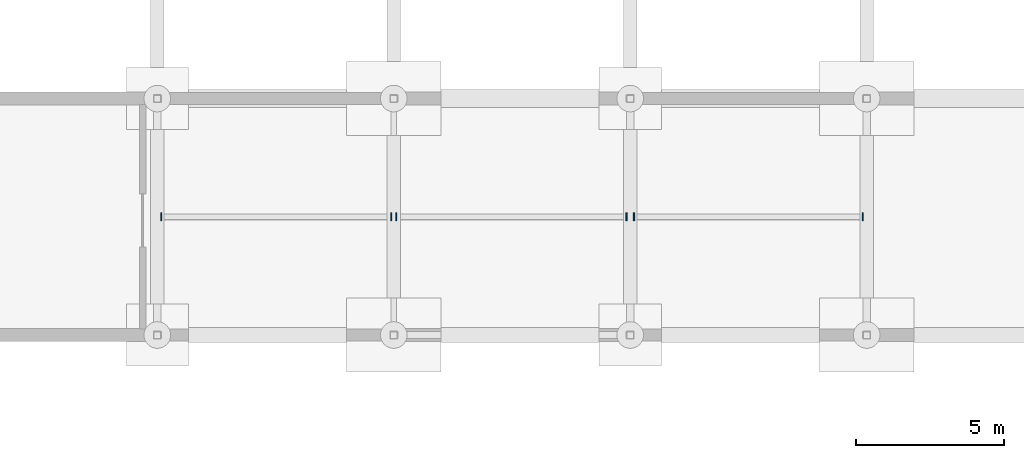
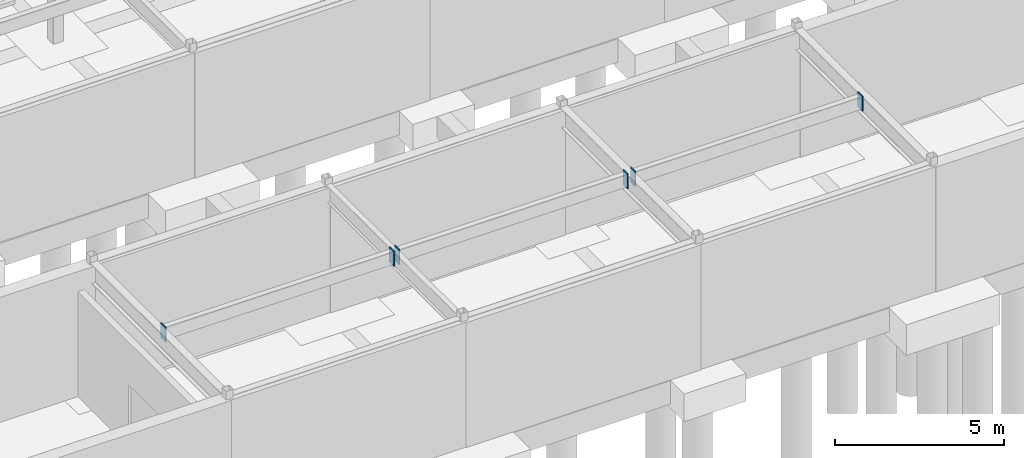
# One storey, part 67 of 105: 6 discrete accessories.
"""IFC4 building model written with IfcOpenShell, lengths in metres."""

import ifcopenshell
import ifcopenshell.guid

model = None  # the IFC model being written
_history = None  # IfcOwnerHistory: only IFC2X3 demands one
_inside = {}  # id of a spatial element -> (the spatial element, [elements in it])
_under = {}  # id of a project, library or spatial element -> (it, [spatial elements below it])
_declared = {}  # id of a project -> (the project, [libraries it declares])
_typed = {}  # id of a type object -> (the type object, [elements of that type])
_made_of = {}  # id of a material, layer set ... -> (it, [elements and type objects made of it])


def new_model(schema):
    """Start an empty IFC model of exactly this schema.

    Asked for "IFC4X3", IfcOpenShell would pick the latest addendum, in which some entities
    have other attributes; the version numbers below select the first issue.
    IFC2X3 requires an IfcOwnerHistory on every rooted entity: one is made here for all.
    """
    global model, _history
    if schema == "IFC4X3":
        model = ifcopenshell.file(schema_version=(4, 3, 0, 0))
    else:
        model = ifcopenshell.file(schema=schema)
    _inside.clear()
    _under.clear()
    _declared.clear()
    _typed.clear()
    _made_of.clear()
    _history = None
    if model.schema == "IFC2X3":
        org = make("IfcOrganization", Name="unknown")
        user = make(
            "IfcPersonAndOrganization",
            ThePerson=make("IfcPerson", FamilyName="unknown"),
            TheOrganization=org,
        )
        app = make(
            "IfcApplication",
            ApplicationDeveloper=org,
            Version="unknown",
            ApplicationFullName="unknown",
            ApplicationIdentifier="unknown",
        )
        _history = make(
            "IfcOwnerHistory",
            OwningUser=user,
            OwningApplication=app,
            ChangeAction="ADDED",
            CreationDate=0,
        )
    return model


def make(cls, **values):
    """One entity of the class cls with the attributes given. An attribute that is None is left unset."""
    return model.create_entity(
        cls, **{name: value for name, value in values.items() if value is not None}
    )


def rooted(cls, **values):
    """An entity with a GlobalId (a new one), such as an element, a storey or a relation."""
    return make(cls, GlobalId=ifcopenshell.guid.new(), OwnerHistory=_history, **values)


def si_unit(unit_type, name, prefix=None):
    """IfcSIUnit, for example si_unit("LENGTHUNIT", "METRE", prefix="MILLI")."""
    return make("IfcSIUnit", UnitType=unit_type, Prefix=prefix, Name=name)


def assignment(units):
    """IfcUnitAssignment: the units of a project."""
    return None if units is None else make("IfcUnitAssignment", Units=units)


def point(xyz):
    """IfcCartesianPoint."""
    return None if xyz is None else make("IfcCartesianPoint", Coordinates=xyz)


def direction(xyz):
    """IfcDirection."""
    return None if xyz is None else make("IfcDirection", DirectionRatios=xyz)


def frame(location, z_axis=None, x_axis=None):
    """IfcAxis2Placement3D, a coordinate frame: its origin and axes. An axis left out is left unset."""
    return make(
        "IfcAxis2Placement3D",
        Location=point(location),
        Axis=direction(z_axis),
        RefDirection=direction(x_axis),
    )


def frame_2d(location, x_axis=None):
    """IfcAxis2Placement2D, a coordinate frame in the plane: its origin and x axis."""
    return make(
        "IfcAxis2Placement2D", Location=point(location), RefDirection=direction(x_axis)
    )


def origin():
    """The frame at (0, 0, 0) with its axes left unset."""
    return frame((0.0, 0.0, 0.0))


def origin_2d():
    """The frame at (0, 0) in the plane with its x axis left unset."""
    return frame_2d((0.0, 0.0))


def place(relative_to, where):
    """IfcLocalPlacement: puts the frame where relative to a parent placement (None: the world)."""
    return make(
        "IfcLocalPlacement", PlacementRelTo=relative_to, RelativePlacement=where
    )


def context(
    kind, dimensions, precision=None, world=None, true_north=None, identifier=None
):
    """IfcGeometricRepresentationContext, for example the 3D "Model" context."""
    return make(
        "IfcGeometricRepresentationContext",
        ContextIdentifier=identifier,
        ContextType=kind,
        CoordinateSpaceDimension=dimensions,
        Precision=precision,
        WorldCoordinateSystem=world,
        TrueNorth=true_north,
    )


def subcontext(parent, identifier, kind, view, scale=None):
    """IfcGeometricRepresentationSubContext, for example "Body" below "Model"."""
    return make(
        "IfcGeometricRepresentationSubContext",
        ContextIdentifier=identifier,
        ContextType=kind,
        ParentContext=parent,
        TargetScale=scale,
        TargetView=view,
    )


def project(units=None, contexts=None):
    """IfcProject with its units and contexts."""
    return rooted(
        "IfcProject",
        Name="project",
        RepresentationContexts=contexts,
        UnitsInContext=assignment(units),
    )


def spatial(cls, under=None, at=None, **own):
    """A site, building, storey or space (cls), placed at a placement, below another one or the project."""
    s = rooted(cls, ObjectPlacement=at, **own)
    if under is not None:
        _under.setdefault(under.id(), (under, []))[1].append(s)
    return s


def profile(cls, at=None, kind="AREA", **sizes):
    """A parametric profile (cls). Its sizes go by their IFC names, for example OverallWidth=200.0."""
    return make(cls, ProfileType=kind, Position=at, **sizes)


def rectangle(**sizes):
    """IfcRectangleProfileDef."""
    return profile("IfcRectangleProfileDef", **sizes)


def extrude(swept, where, along, depth):
    """IfcExtrudedAreaSolid: the profile swept, set in the frame where, extruded along a direction by depth."""
    return make(
        "IfcExtrudedAreaSolid",
        SweptArea=swept,
        Position=where,
        ExtrudedDirection=direction(along),
        Depth=depth,
    )


def shape(context_of_items, identifier, shape_type, items):
    """IfcShapeRepresentation: the items that make up one representation, for example the "Body"."""
    return make(
        "IfcShapeRepresentation",
        ContextOfItems=context_of_items,
        RepresentationIdentifier=identifier,
        RepresentationType=shape_type,
        Items=items,
    )


def material(Name=None, Category=None):
    """IfcMaterial."""
    return make("IfcMaterial", Name=Name, Category=Category)


def layer(
    of_material, thickness, ventilated=None, Name=None, Category=None, Priority=None
):
    """IfcMaterialLayer: one layer of a wall or slab, of a material (None: an air gap)."""
    return make(
        "IfcMaterialLayer",
        Material=of_material,
        LayerThickness=thickness,
        IsVentilated=ventilated,
        Name=Name,
        Category=Category,
        Priority=Priority,
    )


def layer_set(layers, Name=None):
    """IfcMaterialLayerSet."""
    return make("IfcMaterialLayerSet", MaterialLayers=layers, LayerSetName=Name)


def made_of(thing, what):
    """Note that an element or type object is made of a material, layer set ...; save() writes the relation."""
    if what is not None:
        _made_of.setdefault(what.id(), (what, []))[1].append(thing)
    return thing


def type_object(cls, material=None, **own):
    """A type object (cls), such as IfcWallType, which elements share."""
    return made_of(rooted(cls, **own), material)


def element(
    cls,
    number,
    at=None,
    inside=None,
    cuts=None,
    type_object=None,
    material=None,
    context=None,
    identifier="Body",
    shape_type=None,
    held_by="IfcProductDefinitionShape",
    body=None,
    shapes=None,
    **own,
):
    """One element of the class cls, such as IfcWall. Its Tag is "e" and its number.

    at: its placement. inside: the storey or other place that contains it. cuts: it is an
    opening in that element (IfcRelVoidsElement). A single representation is given by context,
    identifier, shape_type and body (its items); several are given by shapes. held_by: the class
    of the entity that holds the representations. save() writes the other relations.
    """
    e = rooted(cls, Tag="e%d" % number, ObjectPlacement=at, **own)
    if body is not None:
        shapes = [shape(context, identifier, shape_type, body)]
    if shapes is not None:
        e.Representation = make(held_by, Representations=shapes)
    if inside is not None:
        _inside.setdefault(inside.id(), (inside, []))[1].append(e)
    if cuts is not None:
        rooted(
            "IfcRelVoidsElement", RelatingBuildingElement=cuts, RelatedOpeningElement=e
        )
    if type_object is not None:
        _typed.setdefault(type_object.id(), (type_object, []))[1].append(e)
    return made_of(e, material)


def aggregate(whole, parts):
    """IfcRelAggregates: a whole, such as a stair, and the parts it consists of."""
    return rooted("IfcRelAggregates", RelatingObject=whole, RelatedObjects=parts)


def save(model, path):
    """Write the relations noted so far, then the file.

    IfcRelAggregates (storeys below a building ...), IfcRelContainedInSpatialStructure (elements
    in a storey), IfcRelDefinesByType, IfcRelAssociatesMaterial and IfcRelDeclares: one each for
    every whole, place, type object, material and project.
    """
    for whole, parts in _under.values():
        aggregate(whole, parts)
    for where, things in _inside.values():
        rooted(
            "IfcRelContainedInSpatialStructure",
            RelatedElements=things,
            RelatingStructure=where,
        )
    for kind, things in _typed.values():
        rooted("IfcRelDefinesByType", RelatedObjects=things, RelatingType=kind)
    for what, things in _made_of.values():
        rooted("IfcRelAssociatesMaterial", RelatedObjects=things, RelatingMaterial=what)
    for by, libraries in _declared.values():
        rooted("IfcRelDeclares", RelatingContext=by, RelatedDefinitions=libraries)
    model.write(path)


model = new_model("IFC4")

# Units and contexts
model_context = context("Model", 3, precision=1e-05, world=origin(), true_north=direction((0.0, 1.0)))
body_context = subcontext(model_context, "Body", "Model", "MODEL_VIEW")
ifc_project = project(units=[si_unit("LENGTHUNIT", "METRE"), si_unit("AREAUNIT", "SQUARE_METRE"), si_unit("VOLUMEUNIT", "CUBIC_METRE"), si_unit("PLANEANGLEUNIT", "RADIAN"), si_unit("MASSUNIT", "GRAM", prefix="KILO")], contexts=[model_context])

# Site, building, storey
site_placement = place(None, origin())
site = spatial("IfcSite", under=ifc_project, at=site_placement, CompositionType="ELEMENT")
building_placement = place(site_placement, origin())
building = spatial("IfcBuilding", under=site, at=building_placement, Name="Solmirada Galleria", CompositionType="ELEMENT")
storey_placement = place(building_placement, frame((0.0, 0.0, -4.800048828125)))
storey = spatial("IfcBuildingStorey", under=building, at=storey_placement, Name="B1", CompositionType="ELEMENT", Elevation=-4.800048828125)

# Discrete accessories
ifc_material = material(Name="Steel S355 / ASTM A572 Grade 50", Category="steel")
ifc_layer = layer(ifc_material, 0.031982421875)
ifc_layer_set = layer_set([ifc_layer], Name="Steel S355 / ASTM A572 Grade 50")
discrete_accessory_type = type_object("IfcDiscreteAccessoryType", Name="ACC-COL-CAP", PredefinedType="BRACKET", material=ifc_layer_set)
for number, where, z_axis, x_axis, name in (
    (1, (48.1279296875, 60.0, 4.08154296875), (0.0, 0.0, 1.0), (1.0, 0.0, 0.0), "Hollow joist end plate L00-07-08-L"),
    (2, (55.910888671875, 60.0, 4.08154296875), (0.0, 0.0, 1.0), (1.0, 0.0, 0.0), "Hollow joist end plate L00-07-08-R"),
    (3, (56.089111328125, 60.0, 4.08154296875), (0.0, 0.0, 1.0), (1.0, 0.0, 0.0), "Hollow joist end plate L00-08-08-L"),
    (4, (63.873046875, 60.0, 4.08154296875), (0.0, 0.0, 1.0), (1.0, 0.0, 0.0), "Hollow joist end plate L00-08-08-R"),
    (5, (64.126953125, 60.0, 4.08154296875), (0.0, 0.0, 1.0), (1.0, 0.0, 0.0), "Hollow joist end plate L00-09-08-L"),
    (6, (71.8720703125, 60.0, 4.08154296875), (0.0, 0.0, 1.0), (1.0, 0.0, 0.0), "Hollow joist end plate L00-09-08-R"),
):
    element("IfcDiscreteAccessory", number, at=place(storey_placement, frame(where, z_axis=z_axis, x_axis=x_axis)), inside=storey, type_object=discrete_accessory_type, Name=name, PredefinedType="BRACKET", context=body_context, shape_type="SweptSolid", body=[
        extrude(rectangle(XDim=0.035888671875, YDim=0.280029296875, at=origin_2d()), origin(), (0.0, 0.0, 1.0), 0.5400390625),
    ])

save(model, "model.ifc")
